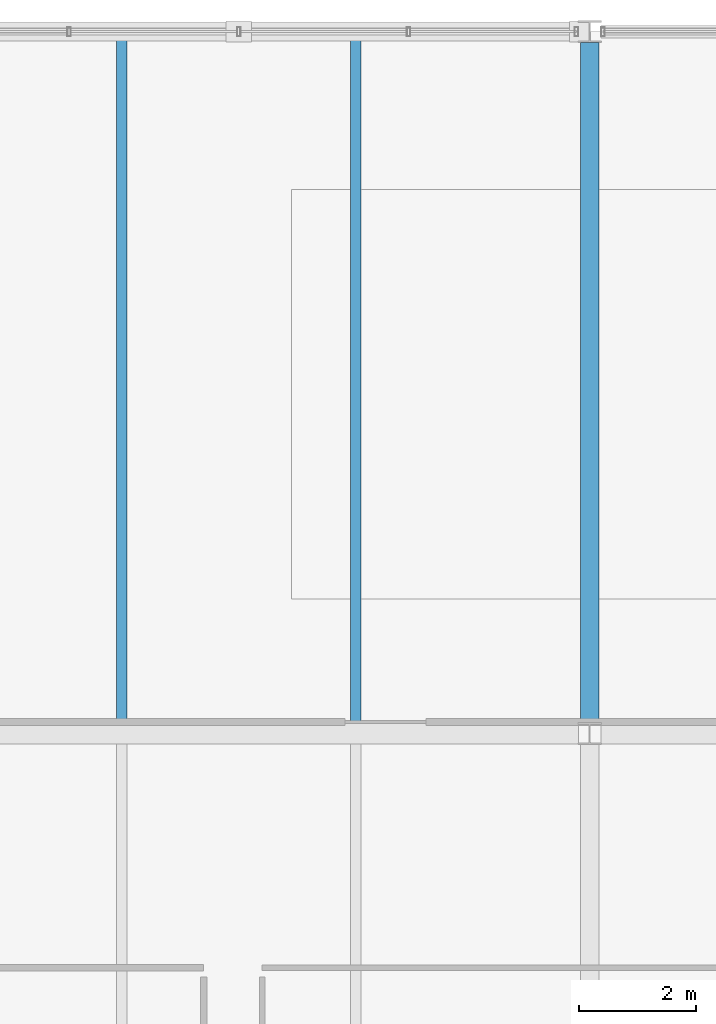
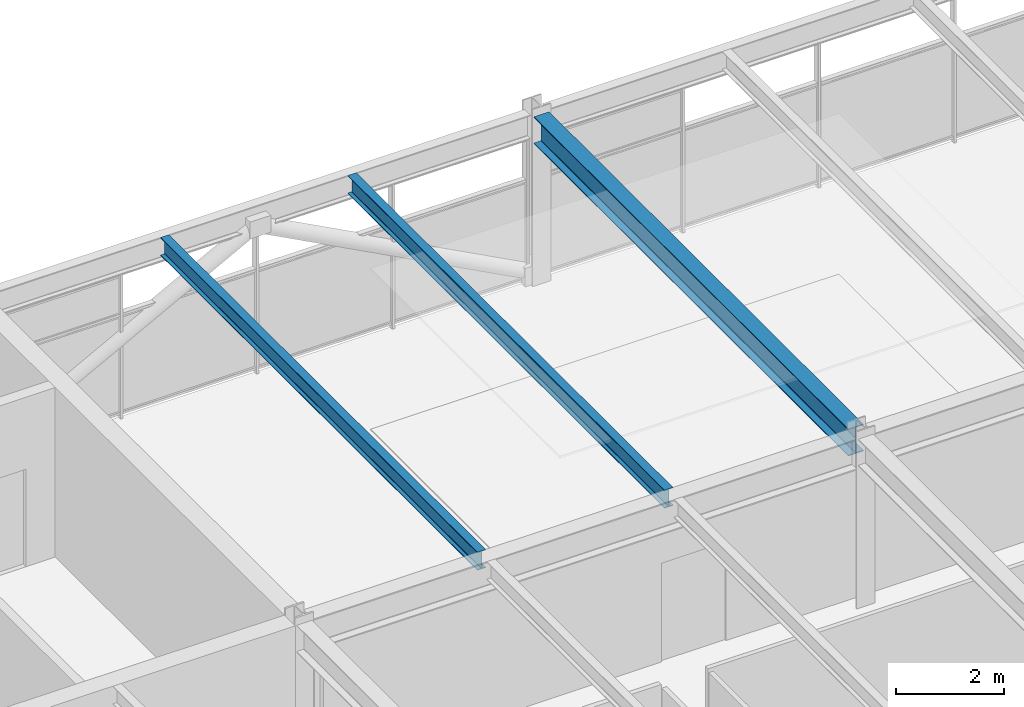
# One storey, part 38 of 51: 3 beams.
"""IFC4 building model written with IfcOpenShell, lengths in metres."""

from ifc_helpers import new_model, si_unit, direction, frame, origin, origin_2d, place, context, subcontext, project, spatial, i_section, extrude, material, material_profile, profile_set, type_object, element, save


model = new_model("IFC4")

# Units and contexts
model_context = context("Model", 3, precision=1e-05, world=origin(), true_north=direction((0.0, 1.0)))
body_context = subcontext(model_context, "Body", "Model", "MODEL_VIEW")
ifc_project = project(units=[si_unit("LENGTHUNIT", "METRE"), si_unit("AREAUNIT", "SQUARE_METRE"), si_unit("VOLUMEUNIT", "CUBIC_METRE"), si_unit("PLANEANGLEUNIT", "RADIAN"), si_unit("MASSUNIT", "GRAM", prefix="KILO")], contexts=[model_context])

# Site, building, storey
site_placement = place(None, origin())
site = spatial("IfcSite", under=ifc_project, at=site_placement, CompositionType="ELEMENT")
building_placement = place(site_placement, origin())
building = spatial("IfcBuilding", under=site, at=building_placement, Name="Girod Span Mobility Hub", CompositionType="ELEMENT")
storey_placement = place(building_placement, frame((0.0, 0.0, 41.60009765625)))
storey = spatial("IfcBuildingStorey", under=building, at=storey_placement, Name="L10", CompositionType="ELEMENT", Elevation=41.60009765625)

# Beams
ifc_material_1 = material(Name="Steel A992 Grade 50", Category="steel")
ifc_material_profile_1 = material_profile(ifc_material_1, i_section(OverallWidth=0.178955078125, OverallDepth=0.409912109375, WebThickness=0.0087890625, FlangeThickness=0.014404296875, FilletRadius=0.012939453125, at=origin_2d()), Name="W16X45")
ifc_profile_set_1 = profile_set([ifc_material_profile_1], Name="Steel A992 Grade 50")
beam_type_1 = type_object("IfcBeamType", Name="BM-STL-W16X45", PredefinedType="BEAM", material=ifc_profile_set_1)
for number, where, z_axis, x_axis, name in (
    (1, (124.0, 57.174560546875, 3.619873046875), (0.0, 1.0, 0.0), (-1.0, 0.0, 0.0), "Composite Floorbeam 11/E-1 L10"),
    (2, (128.0, 57.174560546875, 3.619873046875), (0.0, 1.0, 0.0), (-1.0, 0.0, 0.0), "Composite Floorbeam 11/E-2 L10"),
):
    element("IfcBeam", number, at=place(storey_placement, frame(where, z_axis=z_axis, x_axis=x_axis)), inside=storey, type_object=beam_type_1, Name=name, PredefinedType="BEAM", context=body_context, shape_type="SweptSolid", body=[
        extrude(i_section(OverallWidth=0.178955078125, OverallDepth=0.409912109375, WebThickness=0.0087890625, FlangeThickness=0.014404296875, FilletRadius=0.012939453125, at=origin_2d()), origin(), (0.0, 0.0, 1.0), 11.722412109375),
    ])
ifc_material_2 = material(Name="Steel A992 Grade 50", Category="steel")
ifc_material_profile_2 = material_profile(ifc_material_2, i_section(OverallWidth=0.323974609375, OverallDepth=0.611083984375, WebThickness=0.0126953125, FlangeThickness=0.01904296875, FilletRadius=0.014892578125, at=origin_2d()), Name="W24X104")
ifc_profile_set_2 = profile_set([ifc_material_profile_2], Name="Steel A992 Grade 50")
beam_type_2 = type_object("IfcBeamType", Name="BM-STL-W24X104", PredefinedType="BEAM", material=ifc_profile_set_2)
beam_placement = place(storey_placement, frame((132.0, 57.1845703125, 3.519287109375), z_axis=(0.0, 1.0, 0.0), x_axis=(-1.0, 0.0, 0.0)))
element("IfcBeam", 3, at=beam_placement, inside=storey, type_object=beam_type_2, Name="Tie Girder 12/E-F L10", PredefinedType="BEAM", context=body_context, shape_type="SweptSolid", body=[
    extrude(i_section(OverallWidth=0.323974609375, OverallDepth=0.611083984375, WebThickness=0.0126953125, FlangeThickness=0.01904296875, FilletRadius=0.014892578125, at=origin_2d()), origin(), (0.0, 0.0, 1.0), 11.630859375),
])

save(model, "model.ifc")
